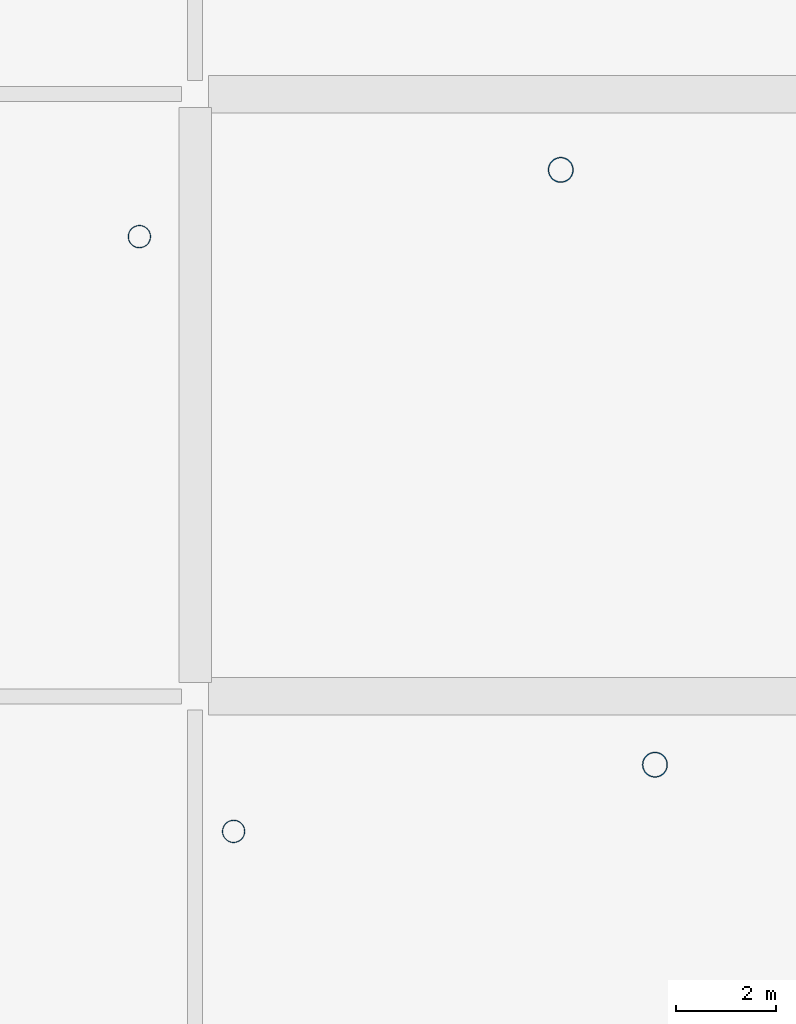
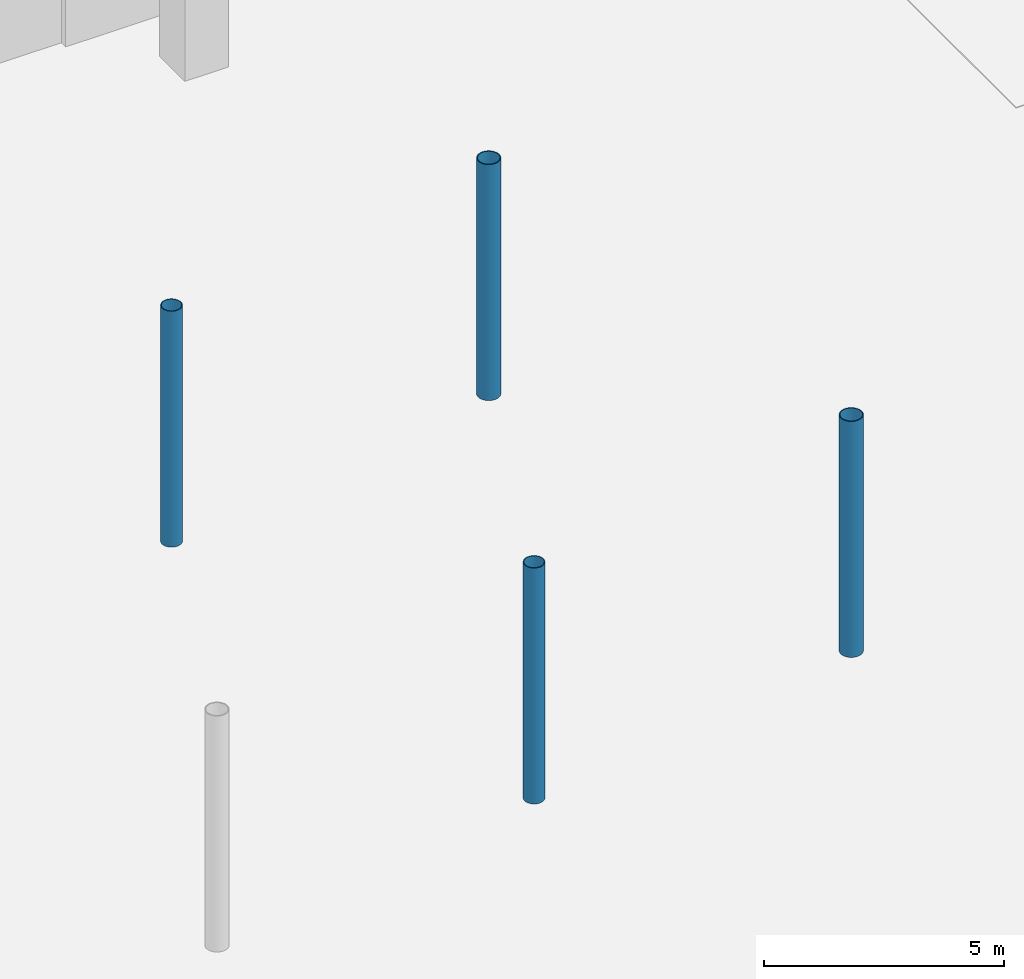
# One storey, part 5 of 163: 4 columns.
"""IFC4 building model written with IfcOpenShell, lengths in metres."""

from ifc_helpers import new_model, si_unit, direction, frame, origin, origin_2d, place, context, subcontext, project, spatial, hollow_circle, extrude, material, material_profile, profile_set, type_object, element, save


model = new_model("IFC4")

# Units and contexts
model_context = context("Model", 3, precision=1e-05, world=origin(), true_north=direction((0.0, 1.0)))
body_context = subcontext(model_context, "Body", "Model", "MODEL_VIEW")
ifc_project = project(units=[si_unit("LENGTHUNIT", "METRE"), si_unit("AREAUNIT", "SQUARE_METRE"), si_unit("VOLUMEUNIT", "CUBIC_METRE"), si_unit("PLANEANGLEUNIT", "RADIAN"), si_unit("MASSUNIT", "GRAM", prefix="KILO")], contexts=[model_context])

# Site, building, storey
site_placement = place(None, origin())
site = spatial("IfcSite", under=ifc_project, at=site_placement, CompositionType="ELEMENT")
building_placement = place(site_placement, origin())
building = spatial("IfcBuilding", under=site, at=building_placement, Name="Khorjan Park Terminus", CompositionType="ELEMENT")
storey_placement = place(building_placement, origin())
storey = spatial("IfcBuildingStorey", under=building, at=storey_placement, Name="L00", CompositionType="ELEMENT", Elevation=0.0)

# Columns
ifc_material = material(Name="Steel S355", Category="steel")
ifc_material_profile_1 = material_profile(ifc_material, hollow_circle(Radius=0.2285, WallThickness=0.016, at=origin_2d()), Name="CHS 457x16")
ifc_profile_set_1 = profile_set([ifc_material_profile_1], Name="Steel S355")
column_type_1 = type_object("IfcColumnType", Name="COL-SH457E", PredefinedType="COLUMN", material=ifc_profile_set_1)
for number, where, z_axis, x_axis, name in (
    (1, (112.767, -0.692, 0.0), (0.0, 0.0, 1.0), (0.987688340595, 0.15643446504, 0.0), "Structural column SC-46 (L00 #585)"),
    (2, (110.89, 11.16, 0.0), (0.0, 0.0, 1.0), (0.987688340595, 0.15643446504, 0.0), "Structural column SC-46 (L00 #588)"),
):
    element("IfcColumn", number, at=place(storey_placement, frame(where, z_axis=z_axis, x_axis=x_axis)), inside=storey, type_object=column_type_1, Name=name, PredefinedType="COLUMN", context=body_context, shape_type="SweptSolid", body=[
        extrude(hollow_circle(Radius=0.2285, WallThickness=0.016, at=origin_2d()), origin(), (0.0, 0.0, 1.0), 6.0),
    ])
ifc_material_profile_2 = material_profile(ifc_material, hollow_circle(Radius=0.254, WallThickness=0.02, at=origin_2d()), Name="CHS 508x20")
ifc_profile_set_2 = profile_set([ifc_material_profile_2], Name="Steel S355")
column_type_2 = type_object("IfcColumnType", Name="COL-SH508E", PredefinedType="COLUMN", material=ifc_profile_set_2)
for number, where, z_axis, x_axis, name in (
    (3, (121.163, 0.637, 0.0), (0.0, 0.0, 1.0), (0.987688340595, 0.15643446504, 0.0), "Structural column SC-51 (L00 #591)"),
    (4, (119.286, 12.49, 0.0), (0.0, 0.0, 1.0), (0.987688340595, 0.15643446504, 0.0), "Structural column SC-51 (L00 #594)"),
):
    element("IfcColumn", number, at=place(storey_placement, frame(where, z_axis=z_axis, x_axis=x_axis)), inside=storey, type_object=column_type_2, Name=name, PredefinedType="COLUMN", context=body_context, shape_type="SweptSolid", body=[
        extrude(hollow_circle(Radius=0.254, WallThickness=0.02, at=origin_2d()), origin(), (0.0, 0.0, 1.0), 6.0),
    ])

save(model, "model.ifc")
